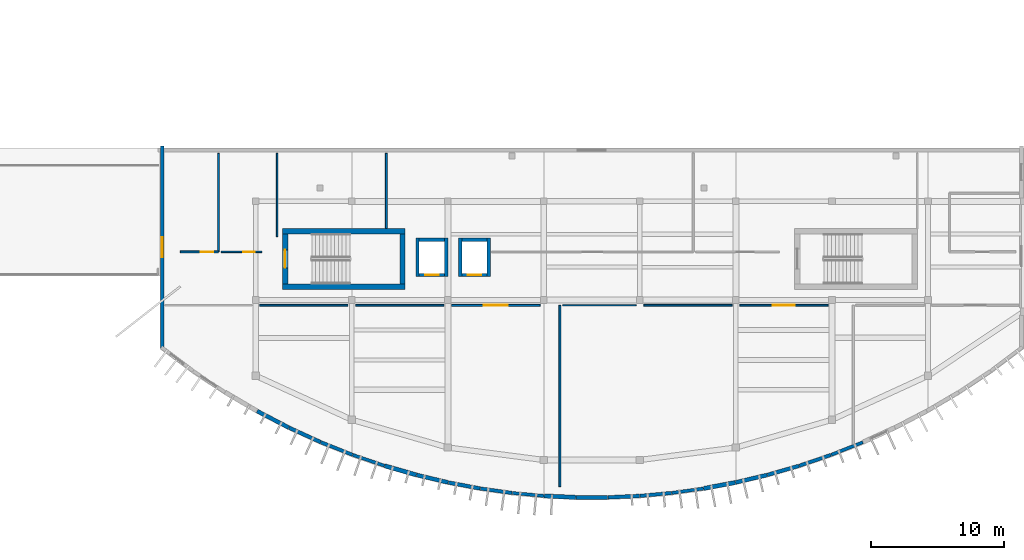
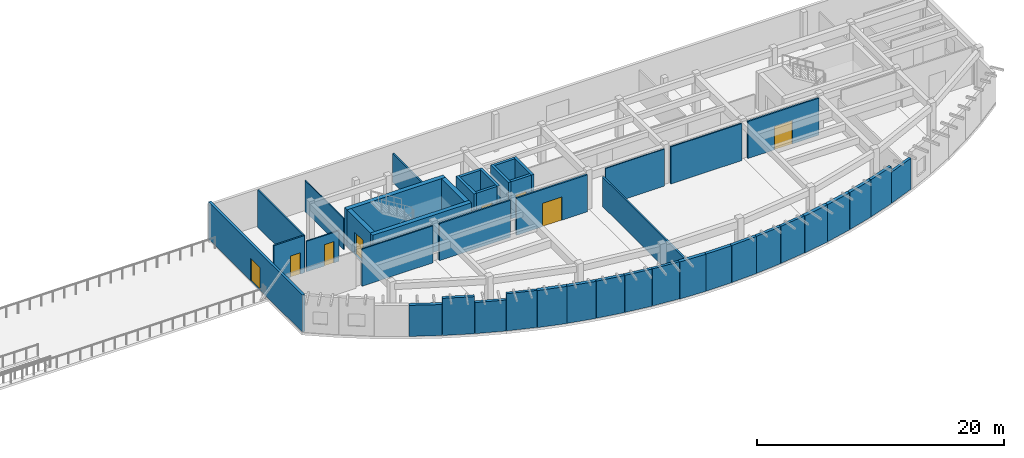
# One storey, part 22 of 32: 44 walls, 8 doors, 8 openings.
"""IFC4 building model written with IfcOpenShell, lengths in metres."""

from ifc_helpers import new_model, si_unit, direction, frame, frame_2d, origin, place, context, subcontext, project, spatial, rectangle, extrude, material, layer, layer_set, type_object, element, fill, save


model = new_model("IFC4")

# Units and contexts
model_context = context("Model", 3, precision=1e-05, world=origin(), true_north=direction((0.0, 1.0)))
body_context = subcontext(model_context, "Body", "Model", "MODEL_VIEW")
ifc_project = project(units=[si_unit("LENGTHUNIT", "METRE"), si_unit("AREAUNIT", "SQUARE_METRE"), si_unit("VOLUMEUNIT", "CUBIC_METRE"), si_unit("PLANEANGLEUNIT", "RADIAN"), si_unit("MASSUNIT", "GRAM", prefix="KILO")], contexts=[model_context])

# Site, building, storey
site_placement = place(None, origin())
site = spatial("IfcSite", under=ifc_project, at=site_placement, CompositionType="ELEMENT")
building_placement = place(site_placement, origin())
building = spatial("IfcBuilding", under=site, at=building_placement, Name="Brisavento Harbour Community Centre", CompositionType="ELEMENT")
storey_placement = place(building_placement, frame((0.0, 0.0, 12.89990234375)))
storey = spatial("IfcBuildingStorey", under=building, at=storey_placement, Name="L03", CompositionType="ELEMENT", Elevation=12.89990234375)

# Walls
ifc_material_1 = material(Name="Concrete C40/50", Category="concrete")
ifc_layer_1 = layer(ifc_material_1, 0.39990234375, Name="Concrete C40/50")
ifc_layer_set_1 = layer_set([ifc_layer_1], Name="Concrete C40/50")
wall_type_1 = type_object("IfcWallType", Name="WL-CORE-400", PredefinedType="SHEAR", material=ifc_layer_set_1)
for number, where, z_axis, x_axis, name in (
    (1, (117.199951171875, 16.0, 0.0), (0.0, 0.0, 1.0), (1.0, 0.0, 0.0), "L03 core C3A shear wall L"),
    (2, (126.39990234375, 20.14990234375, 0.0), (0.0, 0.0, 1.0), (-1.0, 0.0, 0.0), "L03 core C3A shear wall R"),
):
    element("IfcWall", number, at=place(storey_placement, frame(where, z_axis=z_axis, x_axis=x_axis)), inside=storey, type_object=wall_type_1, Name=name, PredefinedType="SHEAR", context=body_context, shape_type="SweptSolid", body=[
        extrude(rectangle(XDim=9.199951171875, YDim=0.39990234375, at=frame_2d((4.60009765625, 0.0))), origin(), (0.0, 0.0, 1.0), 3.66015625),
    ])
wall_1_placement = place(storey_placement, frame((126.199951171875, 16.199951171875, 0.0), z_axis=(0.0, 0.0, 1.0), x_axis=(0.0, 1.0, 0.0)))
element("IfcWall", 3, at=wall_1_placement, inside=storey, type_object=wall_type_1, Name="L03 core C3A shear wall F", PredefinedType="SHEAR", context=body_context, shape_type="SweptSolid", body=[
    extrude(rectangle(XDim=3.75, YDim=0.39990234375, at=frame_2d((1.875, 0.0))), origin(), (0.0, 0.0, 1.0), 3.66015625),
])

# Wall, opening, door
wall_2_placement = place(storey_placement, frame((117.39990234375, 19.949951171875, 0.0), z_axis=(0.0, 0.0, 1.0), x_axis=(0.0, -1.0, 0.0)))
wall_2 = element("IfcWall", 4, at=wall_2_placement, inside=storey, type_object=wall_type_1, Name="L03 core C3A shear wall N", PredefinedType="SHEAR", context=body_context, shape_type="SweptSolid", body=[
    extrude(rectangle(XDim=3.75, YDim=0.39990234375, at=frame_2d((1.875, 0.0))), origin(), (0.0, 0.0, 1.0), 3.66015625),
])
opening_1_placement = place(wall_2_placement, frame((1.199951171875, 0.0, 0.0)))
opening_1 = element("IfcOpeningElement", 5, at=opening_1_placement, cuts=wall_2, Name="Opening SD-02", PredefinedType="OPENING", context=body_context, shape_type="SweptSolid", body=[
    extrude(rectangle(XDim=1.35009765625, YDim=2.199951171875, at=frame_2d((0.675048828125, 1.10009765625))), frame((0.0, 0.2099609375, 0.0), z_axis=(0.0, -1.0, 0.0), x_axis=(1.0, 0.0, 0.0)), (0.0, 0.0, 1.0), 0.419921875),
])
ifc_material_2 = material(Name="Fire-rated steel door assembly", Category="steel")
door_type_1 = type_object("IfcDoorType", Name="DR-STAIR-135x220", OperationType="NOTDEFINED", PredefinedType="DOOR", material=ifc_material_2)
door_1_placement = place(opening_1_placement, origin())
door_1 = element("IfcDoor", 6, at=door_1_placement, inside=storey, type_object=door_type_1, Name="L03 exit stair ST-04 fire door", OperationType="SINGLE_SWING_LEFT", OverallHeight=2.199951171875, OverallWidth=1.35009765625, PredefinedType="DOOR", context=body_context, shape_type="SweptSolid", body=[
    extrude(rectangle(XDim=1.35009765625, YDim=2.199951171875, at=frame_2d((0.675048828125, 1.10009765625))), frame((0.0, 0.02490234375, 0.0), z_axis=(0.0, -1.0, 0.0), x_axis=(1.0, 0.0, 0.0)), (0.0, 0.0, 1.0), 0.050048828125),
])
fill(opening_1, door_1)

# Walls
ifc_material_3 = material(Name="Terracotta masonry unit", Category="masonry")
ifc_layer_2 = layer(ifc_material_3, 0.239990234375, Name="Terracotta masonry unit")
ifc_layer_set_2 = layer_set([ifc_layer_2], Name="Terracotta masonry unit")
wall_type_2 = type_object("IfcWallType", Name="WL-EXT-240", PredefinedType="SOLIDWALL", material=ifc_layer_set_2)
wall_3_placement = place(storey_placement, frame((124.84130859375, 2.5712890625, 0.0), z_axis=(0.0, 0.0, 1.0), x_axis=(-0.94633383288, 0.323190774539, 0.0)))
element("IfcWall", 7, at=wall_3_placement, inside=storey, type_object=wall_type_2, Name="L03 V3 exterior wall 0278", PredefinedType="SOLIDWALL", context=body_context, shape_type="SweptSolid", body=[
    extrude(rectangle(XDim=2.50048828125, YDim=0.239990234375, at=frame_2d((1.250244140625, 0.0))), origin(), (0.0, 0.0, 1.0), 3.66015625),
])
wall_4_placement = place(storey_placement, frame((136.798583984375, 0.3056640625, 0.0), z_axis=(0.0, 0.0, 1.0), x_axis=(-0.995727201859, 0.092343594678, 0.0)))
element("IfcWall", 8, at=wall_4_placement, inside=storey, type_object=wall_type_2, Name="L03 V3 exterior wall 0283", PredefinedType="SOLIDWALL", context=body_context, shape_type="SweptSolid", body=[
    extrude(rectangle(XDim=2.374267578125, YDim=0.239990234375, at=frame_2d((1.18701171875, 0.0))), origin(), (0.0, 0.0, 1.0), 3.66015625),
])
wall_5_placement = place(storey_placement, frame((148.75732421875, 0.858642578125, 0.0), z_axis=(0.0, 0.0, 1.0), x_axis=(-0.990368406077, -0.138457286714, 0.0)))
element("IfcWall", 9, at=wall_5_placement, inside=storey, type_object=wall_type_2, Name="L03 V3 exterior wall 0288", PredefinedType="SOLIDWALL", context=body_context, shape_type="SweptSolid", body=[
    extrude(rectangle(XDim=2.387451171875, YDim=0.239990234375, at=frame_2d((1.19384765625, 0.0))), origin(), (0.0, 0.0, 1.0), 3.66015625),
])
wall_6_placement = place(storey_placement, frame((160.716796875, 4.329345703125, 0.0), z_axis=(0.0, 0.0, 1.0), x_axis=(-0.929287640724, -0.369356847504, 0.0)))
element("IfcWall", 10, at=wall_6_placement, inside=storey, type_object=wall_type_2, Name="L03 V3 exterior wall 0293", PredefinedType="SOLIDWALL", context=body_context, shape_type="SweptSolid", body=[
    extrude(rectangle(XDim=2.546875, YDim=0.239990234375, at=frame_2d((1.2734375, 0.0))), origin(), (0.0, 0.0, 1.0), 3.06005859375),
])

# Wall, opening, door
wall_7_placement = place(storey_placement, frame((108.179931640625, 11.345703125, 0.0), z_axis=(0.0, 0.0, 1.0), x_axis=(0.0, 1.0, 0.0)))
wall_7 = element("IfcWall", 11, at=wall_7_placement, inside=storey, type_object=wall_type_2, Name="L03 V3 exterior wall 0303", PredefinedType="SOLIDWALL", context=body_context, shape_type="SweptSolid", body=[
    extrude(rectangle(XDim=15.204345703125, YDim=0.239990234375, at=frame_2d((7.60205078125, 0.0))), origin(), (0.0, 0.0, 1.0), 3.66015625),
])
opening_2_placement = place(wall_7_placement, frame((6.85205078125, 0.0, 0.0)))
opening_2 = element("IfcOpeningElement", 12, at=opening_2_placement, cuts=wall_7, Name="Opening TD-01", PredefinedType="OPENING", context=body_context, shape_type="SweptSolid", body=[
    extrude(rectangle(XDim=1.5, YDim=2.199951171875, at=frame_2d((0.75, 1.10009765625))), frame((0.0, 0.1298828125, 0.0), z_axis=(0.0, -1.0, 0.0), x_axis=(1.0, 0.0, 0.0)), (0.0, 0.0, 1.0), 0.260009765625),
])
ifc_material_4 = material(Name="Marine-anodised aluminium AW-6063-T6", Category="aluminium")
door_type_2 = type_object("IfcDoorType", Name="DR-TER-150x220", OperationType="NOTDEFINED", PredefinedType="DOOR", material=ifc_material_4)
door_2_placement = place(opening_2_placement, origin())
door_2 = element("IfcDoor", 13, at=door_2_placement, inside=storey, type_object=door_type_2, Name="L03 V3 terrace access door 029", OperationType="SINGLE_SWING_RIGHT", OverallHeight=2.199951171875, OverallWidth=1.5, PredefinedType="DOOR", context=body_context, shape_type="SweptSolid", body=[
    extrude(rectangle(XDim=1.5, YDim=2.199951171875, at=frame_2d((0.75, 1.10009765625))), frame((0.0, 0.02490234375, 0.0), z_axis=(0.0, -1.0, 0.0), x_axis=(1.0, 0.0, 0.0)), (0.0, 0.0, 1.0), 0.050048828125),
])
fill(opening_2, door_2)

# Walls
ifc_layer_3 = layer(ifc_material_3, 0.260009765625, Name="Terracotta masonry unit")
ifc_layer_set_3 = layer_set([ifc_layer_3], Name="Terracotta masonry unit")
wall_type_3 = type_object("IfcWallType", Name="WL-EXT-260", PredefinedType="SOLIDWALL", material=ifc_layer_set_3)
wall_8_placement = place(storey_placement, frame((122.44970703125, 3.388671875, 0.0), z_axis=(0.0, 0.0, 1.0), x_axis=(-0.929274561032, 0.369389753808, 0.0)))
element("IfcWall", 14, at=wall_8_placement, inside=storey, type_object=wall_type_3, Name="L03 V3 exterior wall 0277", PredefinedType="SOLIDWALL", context=body_context, shape_type="SweptSolid", body=[
    extrude(rectangle(XDim=2.546630859375, YDim=0.260009765625, at=frame_2d((1.2734375, 0.0))), origin(), (0.0, 0.0, 1.0), 3.06005859375),
])
wall_9_placement = place(storey_placement, frame((134.406982421875, 0.528076171875, 0.0), z_axis=(0.0, 0.0, 1.0), x_axis=(-0.990366445451, 0.138471310114, 0.0)))
element("IfcWall", 15, at=wall_9_placement, inside=storey, type_object=wall_type_3, Name="L03 V3 exterior wall 0282", PredefinedType="SOLIDWALL", context=body_context, shape_type="SweptSolid", body=[
    extrude(rectangle(XDim=2.38720703125, YDim=0.260009765625, at=frame_2d((1.193603515625, 0.0))), origin(), (0.0, 0.0, 1.0), 3.66015625),
])
wall_10_placement = place(storey_placement, frame((146.365478515625, 0.52490234375, 0.0), z_axis=(0.0, 0.0, 1.0), x_axis=(-0.995728078612, -0.092334140293, 0.0)))
element("IfcWall", 16, at=wall_10_placement, inside=storey, type_object=wall_type_3, Name="L03 V3 exterior wall 0287", PredefinedType="SOLIDWALL", context=body_context, shape_type="SweptSolid", body=[
    extrude(rectangle(XDim=2.37451171875, YDim=0.260009765625, at=frame_2d((1.187255859375, 0.0))), origin(), (0.0, 0.0, 1.0), 3.66015625),
])
wall_11_placement = place(storey_placement, frame((158.32470703125, 3.37939453125, 0.0), z_axis=(0.0, 0.0, 1.0), x_axis=(-0.946323632671, -0.323220640196, 0.0)))
element("IfcWall", 17, at=wall_11_placement, inside=storey, type_object=wall_type_3, Name="L03 V3 exterior wall 0292", PredefinedType="SOLIDWALL", context=body_context, shape_type="SweptSolid", body=[
    extrude(rectangle(XDim=2.500244140625, YDim=0.260009765625, at=frame_2d((1.25, 0.0))), origin(), (0.0, 0.0, 1.0), 3.66015625),
])
ifc_material_5 = material(Name="Precast concrete C40/50", Category="concrete")
ifc_layer_4 = layer(ifc_material_5, 0.280029296875, Name="Precast concrete C40/50")
ifc_layer_set_4 = layer_set([ifc_layer_4], Name="Precast concrete C40/50")
wall_type_4 = type_object("IfcWallType", Name="WL-EXT-280", PredefinedType="SOLIDWALL", material=ifc_layer_set_4)
wall_12_placement = place(storey_placement, frame((120.058349609375, 4.33984375, 0.0), z_axis=(0.0, 0.0, 1.0), x_axis=(-0.90959706885, 0.415491482873, 0.0)))
element("IfcWall", 18, at=wall_12_placement, inside=storey, type_object=wall_type_4, Name="L03 V3 exterior wall 0276", PredefinedType="SOLIDWALL", context=body_context, shape_type="SweptSolid", body=[
    extrude(rectangle(XDim=2.6025390625, YDim=0.280029296875, at=frame_2d((1.30126953125, 0.0))), origin(), (0.0, 0.0, 1.0), 3.66015625),
])
wall_13_placement = place(storey_placement, frame((132.015380859375, 0.86328125, 0.0), z_axis=(0.0, 0.0, 1.0), x_axis=(-0.982797435053, 0.184686766319, 0.0)))
element("IfcWall", 19, at=wall_13_placement, inside=storey, type_object=wall_type_4, Name="L03 V3 exterior wall 0281", PredefinedType="SOLIDWALL", context=body_context, shape_type="SweptSolid", body=[
    extrude(rectangle(XDim=2.406005859375, YDim=0.280029296875, at=frame_2d((1.203125, 0.0))), origin(), (0.0, 0.0, 1.0), 3.66015625),
])
wall_14_placement = place(storey_placement, frame((143.9736328125, 0.3037109375, 0.0), z_axis=(0.0, 0.0, 1.0), x_axis=(-0.998936171223, -0.046114269187, 0.0)))
element("IfcWall", 20, at=wall_14_placement, inside=storey, type_object=wall_type_4, Name="L03 V3 exterior wall 0286", PredefinedType="SOLIDWALL", context=body_context, shape_type="SweptSolid", body=[
    extrude(rectangle(XDim=2.366455078125, YDim=0.280029296875, at=frame_2d((1.18310546875, 0.0))), origin(), (0.0, 0.0, 1.0), 3.66015625),
])
wall_15_placement = place(storey_placement, frame((155.932861328125, 2.56298828125, 0.0), z_axis=(0.0, 0.0, 1.0), x_axis=(-0.960873855282, -0.276986343049, 0.0)))
element("IfcWall", 21, at=wall_15_placement, inside=storey, type_object=wall_type_4, Name="L03 V3 exterior wall 0291", PredefinedType="SOLIDWALL", context=body_context, shape_type="SweptSolid", body=[
    extrude(rectangle(XDim=2.4619140625, YDim=0.280029296875, at=frame_2d((1.23095703125, 0.0))), origin(), (0.0, 0.0, 1.0), 3.66015625),
])
ifc_material_6 = material(Name="Concrete C35/45", Category="concrete")
ifc_layer_5 = layer(ifc_material_6, 0.300048828125, Name="Concrete C35/45")
ifc_layer_set_5 = layer_set([ifc_layer_5], Name="Concrete C35/45")
wall_type_5 = type_object("IfcWallType", Name="WL-EXT-300", PredefinedType="SOLIDWALL", material=ifc_layer_set_5)
wall_16_placement = place(storey_placement, frame((117.6669921875, 5.43310546875, 0.0), z_axis=(0.0, 0.0, 1.0), x_axis=(-0.887047533432, 0.461678105863, 0.0)))
element("IfcWall", 22, at=wall_16_placement, inside=storey, type_object=wall_type_5, Name="L03 V3 exterior wall 0275", PredefinedType="SOLIDWALL", context=body_context, shape_type="SweptSolid", body=[
    extrude(rectangle(XDim=2.66943359375, YDim=0.300048828125, at=frame_2d((1.334716796875, 0.0))), origin(), (0.0, 0.0, 1.0), 3.06005859375),
])
wall_17_placement = place(storey_placement, frame((129.6240234375, 1.313232421875, 0.0), z_axis=(0.0, 0.0, 1.0), x_axis=(-0.972996641293, 0.230819271363, 0.0)))
element("IfcWall", 23, at=wall_17_placement, inside=storey, type_object=wall_type_5, Name="L03 V3 exterior wall 0280", PredefinedType="SOLIDWALL", context=body_context, shape_type="SweptSolid", body=[
    extrude(rectangle(XDim=2.4306640625, YDim=0.300048828125, at=frame_2d((1.21533203125, 0.0))), origin(), (0.0, 0.0, 1.0), 3.66015625),
])
wall_18_placement = place(storey_placement, frame((141.58203125, 0.19384765625, 0.0), z_axis=(0.0, 0.0, 1.0), x_axis=(-1.0, 0.0, 0.0)))
element("IfcWall", 24, at=wall_18_placement, inside=storey, type_object=wall_type_5, Name="L03 V3 exterior wall 0285", PredefinedType="SOLIDWALL", context=body_context, shape_type="SweptSolid", body=[
    extrude(rectangle(XDim=2.364013671875, YDim=0.300048828125, at=frame_2d((1.18212890625, 0.0))), origin(), (0.0, 0.0, 1.0), 3.66015625),
])
wall_19_placement = place(storey_placement, frame((153.541015625, 1.874267578125, 0.0), z_axis=(0.0, 0.0, 1.0), x_axis=(-0.973001991893, -0.230796715253, 0.0)))
element("IfcWall", 25, at=wall_19_placement, inside=storey, type_object=wall_type_5, Name="L03 V3 exterior wall 0290", PredefinedType="SOLIDWALL", context=body_context, shape_type="SweptSolid", body=[
    extrude(rectangle(XDim=2.430908203125, YDim=0.300048828125, at=frame_2d((1.21533203125, 0.0))), origin(), (0.0, 0.0, 1.0), 3.66015625),
])
ifc_layer_6 = layer(ifc_material_6, 0.320068359375, Name="Concrete C35/45")
ifc_layer_set_6 = layer_set([ifc_layer_6], Name="Concrete C35/45")
wall_type_6 = type_object("IfcWallType", Name="WL-EXT-320", PredefinedType="SOLIDWALL", material=ifc_layer_set_6)
wall_20_placement = place(storey_placement, frame((127.232666015625, 1.881103515625, 0.0), z_axis=(0.0, 0.0, 1.0), x_axis=(-0.960873855282, 0.276986343049, 0.0)))
element("IfcWall", 26, at=wall_20_placement, inside=storey, type_object=wall_type_6, Name="L03 V3 exterior wall 0279", PredefinedType="SOLIDWALL", context=body_context, shape_type="SweptSolid", body=[
    extrude(rectangle(XDim=2.4619140625, YDim=0.320068359375, at=frame_2d((1.23095703125, 0.0))), origin(), (0.0, 0.0, 1.0), 3.66015625),
])
wall_21_placement = place(storey_placement, frame((139.190185546875, 0.194580078125, 0.0), z_axis=(0.0, 0.0, 1.0), x_axis=(-0.998935951808, 0.046119021944, 0.0)))
element("IfcWall", 27, at=wall_21_placement, inside=storey, type_object=wall_type_6, Name="L03 V3 exterior wall 0284", PredefinedType="SOLIDWALL", context=body_context, shape_type="SweptSolid", body=[
    extrude(rectangle(XDim=2.3662109375, YDim=0.320068359375, at=frame_2d((1.18310546875, 0.0))), origin(), (0.0, 0.0, 1.0), 3.66015625),
])
wall_22_placement = place(storey_placement, frame((151.149169921875, 1.3076171875, 0.0), z_axis=(0.0, 0.0, 1.0), x_axis=(-0.982800895809, -0.184668349202, 0.0)))
element("IfcWall", 28, at=wall_22_placement, inside=storey, type_object=wall_type_6, Name="L03 V3 exterior wall 0289", PredefinedType="SOLIDWALL", context=body_context, shape_type="SweptSolid", body=[
    extrude(rectangle(XDim=2.40625, YDim=0.320068359375, at=frame_2d((1.203125, 0.0))), origin(), (0.0, 0.0, 1.0), 3.66015625),
])
ifc_material_7 = material(Name="Lightweight stud partition", Category="other")
ifc_layer_7 = layer(ifc_material_7, 0.10009765625, Name="Lightweight stud partition")
ifc_layer_set_7 = layer_set([ifc_layer_7], Name="Lightweight stud partition")
wall_type_7 = type_object("IfcWallType", Name="WL-PRT-100", PredefinedType="PARTITIONING", material=ifc_layer_set_7)
wall_23_placement = place(storey_placement, frame((143.7099609375, 14.60009765625, 0.0), z_axis=(0.0, 0.0, 1.0), x_axis=(-1.0, 0.0, 0.0)))
element("IfcWall", 29, at=wall_23_placement, inside=storey, type_object=wall_type_7, Name="L03 Public Library Reference Hall partition 0263", PredefinedType="PARTITIONING", context=body_context, shape_type="SweptSolid", body=[
    extrude(rectangle(XDim=5.510009765625, YDim=0.10009765625, at=frame_2d((2.7548828125, 0.0))), origin(), (0.0, 0.0, 1.0), 3.66015625),
])
wall_24_placement = place(storey_placement, frame((116.800048828125, 19.75, 0.0), z_axis=(0.0, 0.0, 1.0), x_axis=(0.0, 1.0, 0.0)))
element("IfcWall", 30, at=wall_24_placement, inside=storey, type_object=wall_type_7, Name="L03 Female WC L03 partition 0275", PredefinedType="PARTITIONING", context=body_context, shape_type="SweptSolid", body=[
    extrude(rectangle(XDim=6.25, YDim=0.10009765625, at=frame_2d((3.125, 0.0))), origin(), (0.0, 0.0, 1.0), 3.06005859375),
])
ifc_material_8 = material(Name="Gypsum metal-stud partition", Category="other")
ifc_layer_8 = layer(ifc_material_8, 0.1201171875, Name="Gypsum metal-stud partition")
ifc_layer_set_8 = layer_set([ifc_layer_8], Name="Gypsum metal-stud partition")
wall_type_8 = type_object("IfcWallType", Name="WL-PRT-120", PredefinedType="PARTITIONING", material=ifc_layer_set_8)
wall_25_placement = place(storey_placement, frame((122.110107421875, 14.60009765625, 0.0), z_axis=(0.0, 0.0, 1.0), x_axis=(-1.0, 0.0, 0.0)))
element("IfcWall", 31, at=wall_25_placement, inside=storey, type_object=wall_type_8, Name="L03 Harbour Reading Room partition 0258", PredefinedType="PARTITIONING", context=body_context, shape_type="SweptSolid", body=[
    extrude(rectangle(XDim=6.6201171875, YDim=0.1201171875, at=frame_2d((3.31005859375, 0.0))), origin(), (0.0, 0.0, 1.0), 3.66015625),
])
wall_26_placement = place(storey_placement, frame((150.909912109375, 14.60009765625, 0.0), z_axis=(0.0, 0.0, 1.0), x_axis=(-1.0, 0.0, 0.0)))
element("IfcWall", 32, at=wall_26_placement, inside=storey, type_object=wall_type_8, Name="L03 Public Library Reference Hall partition 0262", PredefinedType="PARTITIONING", context=body_context, shape_type="SweptSolid", body=[
    extrude(rectangle(XDim=6.619873046875, YDim=0.1201171875, at=frame_2d((3.31005859375, 0.0))), origin(), (0.0, 0.0, 1.0), 3.66015625),
])

# Wall, opening, door
wall_27_placement = place(storey_placement, frame((112.60009765625, 18.60009765625, 0.0), z_axis=(0.0, 0.0, 1.0), x_axis=(1.0, 0.0, 0.0)))
wall_27 = element("IfcWall", 33, at=wall_27_placement, inside=storey, type_object=wall_type_8, Name="L03 Female WC L03 partition 0274", PredefinedType="PARTITIONING", context=body_context, shape_type="SweptSolid", body=[
    extrude(rectangle(XDim=3.0498046875, YDim=0.1201171875, at=frame_2d((1.52490234375, 0.0))), origin(), (0.0, 0.0, 1.0), 3.010009765625),
])
opening_3_placement = place(wall_27_placement, frame((1.659912109375, 0.0, 0.0)))
opening_3 = element("IfcOpeningElement", 34, at=opening_3_placement, cuts=wall_27, Name="Opening WD-02", PredefinedType="OPENING", context=body_context, shape_type="SweptSolid", body=[
    extrude(rectangle(XDim=0.8798828125, YDim=2.10009765625, at=frame_2d((0.43994140625, 1.050048828125))), frame((0.0, 0.070068359375, 0.0), z_axis=(0.0, -1.0, 0.0), x_axis=(1.0, 0.0, 0.0)), (0.0, 0.0, 1.0), 0.14013671875),
])
ifc_material_9 = material(Name="Moisture-resistant laminate door", Category="other")
door_type_3 = type_object("IfcDoorType", Name="DR-WC-088x210", OperationType="NOTDEFINED", PredefinedType="DOOR", material=ifc_material_9)
door_3_placement = place(opening_3_placement, origin())
door_3 = element("IfcDoor", 35, at=door_3_placement, inside=storey, type_object=door_type_3, Name="L03 Female WC L03 door 0106", OperationType="SINGLE_SWING_LEFT", OverallHeight=2.10009765625, OverallWidth=0.8798828125, PredefinedType="DOOR", context=body_context, shape_type="SweptSolid", body=[
    extrude(rectangle(XDim=0.8798828125, YDim=2.10009765625, at=frame_2d((0.43994140625, 1.050048828125))), frame((0.0, 0.02490234375, 0.0), z_axis=(0.0, -1.0, 0.0), x_axis=(1.0, 0.0, 0.0)), (0.0, 0.0, 1.0), 0.050048828125),
])
fill(opening_3, door_3)

# Wall
ifc_layer_9 = layer(ifc_material_8, 0.139892578125, Name="Gypsum metal-stud partition")
ifc_layer_set_9 = layer_set([ifc_layer_9], Name="Gypsum metal-stud partition")
wall_type_9 = type_object("IfcWallType", Name="WL-PRT-140", PredefinedType="PARTITIONING", material=ifc_layer_set_9)
wall_28_placement = place(storey_placement, frame((129.31005859375, 14.60009765625, 0.0), z_axis=(0.0, 0.0, 1.0), x_axis=(-1.0, 0.0, 0.0)))
element("IfcWall", 36, at=wall_28_placement, inside=storey, type_object=wall_type_9, Name="L03 Harbour Reading Room partition 0257", PredefinedType="PARTITIONING", context=body_context, shape_type="SweptSolid", body=[
    extrude(rectangle(XDim=6.6201171875, YDim=0.139892578125, at=frame_2d((3.31005859375, 0.0))), origin(), (0.0, 0.0, 1.0), 3.66015625),
])

# Wall, opening, door
wall_29_placement = place(storey_placement, frame((158.110107421875, 14.60009765625, 0.0), z_axis=(0.0, 0.0, 1.0), x_axis=(-1.0, 0.0, 0.0)))
wall_29 = element("IfcWall", 37, at=wall_29_placement, inside=storey, type_object=wall_type_9, Name="L03 Public Library Reference Hall partition 0261", PredefinedType="PARTITIONING", context=body_context, shape_type="SweptSolid", body=[
    extrude(rectangle(XDim=6.6201171875, YDim=0.139892578125, at=frame_2d((3.31005859375, 0.0))), origin(), (0.0, 0.0, 1.0), 3.66015625),
])
opening_4_placement = place(wall_29_placement, frame((2.485107421875, 0.0, 0.0)))
opening_4 = element("IfcOpeningElement", 38, at=opening_4_placement, cuts=wall_29, Name="Opening ID-02", PredefinedType="OPENING", context=body_context, shape_type="SweptSolid", body=[
    extrude(rectangle(XDim=1.64990234375, YDim=2.300048828125, at=frame_2d((0.824951171875, 1.14990234375))), frame((0.0, 0.080078125, 0.0), z_axis=(0.0, -1.0, 0.0), x_axis=(1.0, 0.0, 0.0)), (0.0, 0.0, 1.0), 0.159912109375),
])
ifc_material_10 = material(Name="Solid-core tropical timber door", Category="wood")
door_type_4 = type_object("IfcDoorType", Name="DR-INT-165x230", OperationType="NOTDEFINED", PredefinedType="DOOR", material=ifc_material_10)
door_4_placement = place(opening_4_placement, origin())
door_4 = element("IfcDoor", 39, at=door_4_placement, inside=storey, type_object=door_type_4, Name="L03 Public Library Reference Hall door 0101", OperationType="SINGLE_SWING_RIGHT", OverallHeight=2.300048828125, OverallWidth=1.64990234375, PredefinedType="DOOR", context=body_context, shape_type="SweptSolid", body=[
    extrude(rectangle(XDim=1.64990234375, YDim=2.300048828125, at=frame_2d((0.824951171875, 1.14990234375))), frame((0.0, 0.02490234375, 0.0), z_axis=(0.0, -1.0, 0.0), x_axis=(1.0, 0.0, 0.0)), (0.0, 0.0, 1.0), 0.050048828125),
])
fill(opening_4, door_4)

# Wall
wall_30_placement = place(storey_placement, frame((112.39990234375, 18.60009765625, 0.0), z_axis=(0.0, 0.0, 1.0), x_axis=(0.0, 1.0, 0.0)))
element("IfcWall", 40, at=wall_30_placement, inside=storey, type_object=wall_type_9, Name="L03 Male WC L03 partition 0273", PredefinedType="PARTITIONING", context=body_context, shape_type="SweptSolid", body=[
    extrude(rectangle(XDim=7.39990234375, YDim=0.139892578125, at=frame_2d((3.699951171875, 0.0))), origin(), (0.0, 0.0, 1.0), 3.66015625),
])

# Wall, opening, door
ifc_material_11 = material(Name="Moisture-resistant stud partition", Category="other")
ifc_layer_10 = layer(ifc_material_11, 0.14990234375, Name="Moisture-resistant stud partition")
ifc_layer_set_10 = layer_set([ifc_layer_10], Name="Moisture-resistant stud partition")
wall_type_10 = type_object("IfcWallType", Name="WL-PRT-150", PredefinedType="PARTITIONING", material=ifc_layer_set_10)
wall_31_placement = place(storey_placement, frame((136.510009765625, 14.60009765625, 0.0), z_axis=(0.0, 0.0, 1.0), x_axis=(-1.0, 0.0, 0.0)))
wall_31 = element("IfcWall", 41, at=wall_31_placement, inside=storey, type_object=wall_type_10, Name="L03 Harbour Reading Room partition 0256", PredefinedType="PARTITIONING", context=body_context, shape_type="SweptSolid", body=[
    extrude(rectangle(XDim=6.6201171875, YDim=0.14990234375, at=frame_2d((3.31005859375, 0.0))), origin(), (0.0, 0.0, 1.0), 3.66015625),
])
opening_5_placement = place(wall_31_placement, frame((2.409912109375, 0.0, 0.0)))
opening_5 = element("IfcOpeningElement", 42, at=opening_5_placement, cuts=wall_31, Name="Opening ID-01", PredefinedType="OPENING", context=body_context, shape_type="SweptSolid", body=[
    extrude(rectangle(XDim=1.800048828125, YDim=2.300048828125, at=frame_2d((0.89990234375, 1.14990234375))), frame((0.0, 0.0849609375, 0.0), z_axis=(0.0, -1.0, 0.0), x_axis=(1.0, 0.0, 0.0)), (0.0, 0.0, 1.0), 0.169921875),
])
door_type_5 = type_object("IfcDoorType", Name="DR-INT-180x230", OperationType="NOTDEFINED", PredefinedType="DOOR", material=ifc_material_10)
door_5_placement = place(opening_5_placement, origin())
door_5 = element("IfcDoor", 43, at=door_5_placement, inside=storey, type_object=door_type_5, Name="L03 Harbour Reading Room door 0100", OperationType="SINGLE_SWING_LEFT", OverallHeight=2.300048828125, OverallWidth=1.800048828125, PredefinedType="DOOR", context=body_context, shape_type="SweptSolid", body=[
    extrude(rectangle(XDim=1.800048828125, YDim=2.300048828125, at=frame_2d((0.89990234375, 1.14990234375))), frame((0.0, 0.02490234375, 0.0), z_axis=(0.0, -1.0, 0.0), x_axis=(1.0, 0.0, 0.0)), (0.0, 0.0, 1.0), 0.050048828125),
])
fill(opening_5, door_5)

# Walls
wall_32_placement = place(storey_placement, frame((138.0, 1.0, 0.0), z_axis=(0.0, 0.0, 1.0), x_axis=(0.0, 1.0, 0.0)))
element("IfcWall", 44, at=wall_32_placement, inside=storey, type_object=wall_type_10, Name="L03 Harbour Reading Room partition 0260", PredefinedType="PARTITIONING", context=body_context, shape_type="SweptSolid", body=[
    extrude(rectangle(XDim=13.60009765625, YDim=0.14990234375, at=frame_2d((6.800048828125, 0.0))), origin(), (0.0, 0.0, 1.0), 2.91015625),
])
wall_33_placement = place(storey_placement, frame((125.0, 26.0, 0.0), z_axis=(0.0, 0.0, 1.0), x_axis=(0.0, -1.0, 0.0)))
element("IfcWall", 45, at=wall_33_placement, inside=storey, type_object=wall_type_10, Name="L03 Adult Classroom 302 partition 0268", PredefinedType="PARTITIONING", context=body_context, shape_type="SweptSolid", body=[
    extrude(rectangle(XDim=5.639892578125, YDim=0.14990234375, at=frame_2d((2.81982421875, 0.0))), origin(), (0.0, 0.0, 1.0), 2.860107421875),
])

# Wall, opening, door
wall_34_placement = place(storey_placement, frame((109.550048828125, 18.60009765625, 0.0), z_axis=(0.0, 0.0, 1.0), x_axis=(1.0, 0.0, 0.0)))
wall_34 = element("IfcWall", 46, at=wall_34_placement, inside=storey, type_object=wall_type_10, Name="L03 Male WC L03 partition 0272", PredefinedType="PARTITIONING", context=body_context, shape_type="SweptSolid", body=[
    extrude(rectangle(XDim=2.849853515625, YDim=0.14990234375, at=frame_2d((1.4248046875, 0.0))), origin(), (0.0, 0.0, 1.0), 3.66015625),
])
opening_6_placement = place(wall_34_placement, frame((1.5400390625, 0.0, 0.0)))
opening_6 = element("IfcOpeningElement", 47, at=opening_6_placement, cuts=wall_34, Name="Opening WD-01", PredefinedType="OPENING", context=body_context, shape_type="SweptSolid", body=[
    extrude(rectangle(XDim=0.919921875, YDim=2.10009765625, at=frame_2d((0.4599609375, 1.050048828125))), frame((0.0, 0.0849609375, 0.0), z_axis=(0.0, -1.0, 0.0), x_axis=(1.0, 0.0, 0.0)), (0.0, 0.0, 1.0), 0.169921875),
])
door_type_6 = type_object("IfcDoorType", Name="DR-WC-092x210", OperationType="NOTDEFINED", PredefinedType="DOOR", material=ifc_material_9)
door_6_placement = place(opening_6_placement, origin())
door_6 = element("IfcDoor", 48, at=door_6_placement, inside=storey, type_object=door_type_6, Name="L03 Male WC L03 door 0105", OperationType="SINGLE_SWING_RIGHT", OverallHeight=2.10009765625, OverallWidth=0.919921875, PredefinedType="DOOR", context=body_context, shape_type="SweptSolid", body=[
    extrude(rectangle(XDim=0.919921875, YDim=2.10009765625, at=frame_2d((0.4599609375, 1.050048828125))), frame((0.0, 0.02490234375, 0.0), z_axis=(0.0, -1.0, 0.0), x_axis=(1.0, 0.0, 0.0)), (0.0, 0.0, 1.0), 0.050048828125),
])
fill(opening_6, door_6)

# Walls
ifc_layer_11 = layer(ifc_material_6, 0.25, Name="Concrete C35/45")
ifc_layer_set_11 = layer_set([ifc_layer_11], Name="Concrete C35/45")
wall_type_11 = type_object("IfcWallType", Name="WL-SHF-250", PredefinedType="SOLIDWALL", material=ifc_layer_set_11)
for number, where, z_axis, x_axis, name in (
    (49, (127.324951171875, 16.75, 0.0), (0.0, 0.0, 1.0), (0.0, 1.0, 0.0), "L03 lift LC-02 shaft wall W"),
    (50, (129.47509765625, 19.64990234375, 0.0), (0.0, 0.0, 1.0), (0.0, -1.0, 0.0), "L03 lift LC-02 shaft wall E"),
):
    element("IfcWall", number, at=place(storey_placement, frame(where, z_axis=z_axis, x_axis=x_axis)), inside=storey, type_object=wall_type_11, Name=name, PredefinedType="SOLIDWALL", context=body_context, shape_type="SweptSolid", body=[
        extrude(rectangle(XDim=2.89990234375, YDim=0.25, at=frame_2d((1.449951171875, 0.0))), origin(), (0.0, 0.0, 1.0), 3.66015625),
    ])

# Wall, opening, door
wall_35_placement = place(storey_placement, frame((127.449951171875, 16.875, 0.0), z_axis=(0.0, 0.0, 1.0), x_axis=(1.0, 0.0, 0.0)))
wall_35 = element("IfcWall", 51, at=wall_35_placement, inside=storey, type_object=wall_type_11, Name="L03 lift LC-02 shaft wall S", PredefinedType="SOLIDWALL", context=body_context, shape_type="SweptSolid", body=[
    extrude(rectangle(XDim=1.900146484375, YDim=0.25, at=frame_2d((0.9501953125, 0.0))), origin(), (0.0, 0.0, 1.0), 3.66015625),
])
opening_7_placement = place(wall_35_placement, frame((0.449951171875, 0.0, 0.0)))
opening_7 = element("IfcOpeningElement", 52, at=opening_7_placement, cuts=wall_35, Name="Opening LD-02", PredefinedType="OPENING", context=body_context, shape_type="SweptSolid", body=[
    extrude(rectangle(XDim=1.0, YDim=2.199951171875, at=frame_2d((0.5, 1.10009765625))), frame((0.0, 0.135009765625, 0.0), z_axis=(0.0, -1.0, 0.0), x_axis=(1.0, 0.0, 0.0)), (0.0, 0.0, 1.0), 0.27001953125),
])
ifc_material_12 = material(Name="Stainless steel 1.4401", Category="steel")
door_type_7 = type_object("IfcDoorType", Name="DR-LIFT-100x220", OperationType="DOUBLE_DOOR_SLIDING", PredefinedType="DOOR", material=ifc_material_12)
door_7_placement = place(opening_7_placement, origin())
door_7 = element("IfcDoor", 53, at=door_7_placement, inside=storey, type_object=door_type_7, Name="L03 lift LC-02 landing sliding door", OperationType="DOUBLE_DOOR_SLIDING", OverallHeight=2.199951171875, OverallWidth=1.0, PredefinedType="DOOR", context=body_context, shape_type="SweptSolid", body=[
    extrude(rectangle(XDim=1.0, YDim=2.199951171875, at=frame_2d((0.5, 1.10009765625))), frame((0.0, 0.02490234375, 0.0), z_axis=(0.0, -1.0, 0.0), x_axis=(1.0, 0.0, 0.0)), (0.0, 0.0, 1.0), 0.050048828125),
])
fill(opening_7, door_7)

# Walls
wall_36_placement = place(storey_placement, frame((129.35009765625, 19.52490234375, 0.0), z_axis=(0.0, 0.0, 1.0), x_axis=(-1.0, 0.0, 0.0)))
element("IfcWall", 54, at=wall_36_placement, inside=storey, type_object=wall_type_11, Name="L03 lift LC-02 shaft wall N", PredefinedType="SOLIDWALL", context=body_context, shape_type="SweptSolid", body=[
    extrude(rectangle(XDim=1.900146484375, YDim=0.25, at=frame_2d((0.9501953125, 0.0))), origin(), (0.0, 0.0, 1.0), 3.66015625),
])
for number, where, z_axis, x_axis, name in (
    (55, (130.52490234375, 16.75, 0.0), (0.0, 0.0, 1.0), (0.0, 1.0, 0.0), "L03 lift LC-03 shaft wall W"),
    (56, (132.675048828125, 19.64990234375, 0.0), (0.0, 0.0, 1.0), (0.0, -1.0, 0.0), "L03 lift LC-03 shaft wall E"),
):
    element("IfcWall", number, at=place(storey_placement, frame(where, z_axis=z_axis, x_axis=x_axis)), inside=storey, type_object=wall_type_11, Name=name, PredefinedType="SOLIDWALL", context=body_context, shape_type="SweptSolid", body=[
        extrude(rectangle(XDim=2.89990234375, YDim=0.25, at=frame_2d((1.449951171875, 0.0))), origin(), (0.0, 0.0, 1.0), 3.66015625),
    ])

# Wall, opening, door
wall_37_placement = place(storey_placement, frame((130.64990234375, 16.875, 0.0), z_axis=(0.0, 0.0, 1.0), x_axis=(1.0, 0.0, 0.0)))
wall_37 = element("IfcWall", 57, at=wall_37_placement, inside=storey, type_object=wall_type_11, Name="L03 lift LC-03 shaft wall S", PredefinedType="SOLIDWALL", context=body_context, shape_type="SweptSolid", body=[
    extrude(rectangle(XDim=1.900146484375, YDim=0.25, at=frame_2d((0.9501953125, 0.0))), origin(), (0.0, 0.0, 1.0), 3.66015625),
])
opening_8_placement = place(wall_37_placement, frame((0.449951171875, 0.0, 0.0)))
opening_8 = element("IfcOpeningElement", 58, at=opening_8_placement, cuts=wall_37, Name="Opening LD-02", PredefinedType="OPENING", context=body_context, shape_type="SweptSolid", body=[
    extrude(rectangle(XDim=1.0, YDim=2.199951171875, at=frame_2d((0.5, 1.10009765625))), frame((0.0, 0.135009765625, 0.0), z_axis=(0.0, -1.0, 0.0), x_axis=(1.0, 0.0, 0.0)), (0.0, 0.0, 1.0), 0.27001953125),
])
door_8_placement = place(opening_8_placement, origin())
door_8 = element("IfcDoor", 59, at=door_8_placement, inside=storey, type_object=door_type_7, Name="L03 lift LC-03 landing sliding door", OperationType="DOUBLE_DOOR_SLIDING", OverallHeight=2.199951171875, OverallWidth=1.0, PredefinedType="DOOR", context=body_context, shape_type="SweptSolid", body=[
    extrude(rectangle(XDim=1.0, YDim=2.199951171875, at=frame_2d((0.5, 1.10009765625))), frame((0.0, 0.02490234375, 0.0), z_axis=(0.0, -1.0, 0.0), x_axis=(1.0, 0.0, 0.0)), (0.0, 0.0, 1.0), 0.050048828125),
])
fill(opening_8, door_8)

# Wall
wall_38_placement = place(storey_placement, frame((132.550048828125, 19.52490234375, 0.0), z_axis=(0.0, 0.0, 1.0), x_axis=(-1.0, 0.0, 0.0)))
element("IfcWall", 60, at=wall_38_placement, inside=storey, type_object=wall_type_11, Name="L03 lift LC-03 shaft wall N", PredefinedType="SOLIDWALL", context=body_context, shape_type="SweptSolid", body=[
    extrude(rectangle(XDim=1.900146484375, YDim=0.25, at=frame_2d((0.9501953125, 0.0))), origin(), (0.0, 0.0, 1.0), 3.66015625),
])

save(model, "model.ifc")
